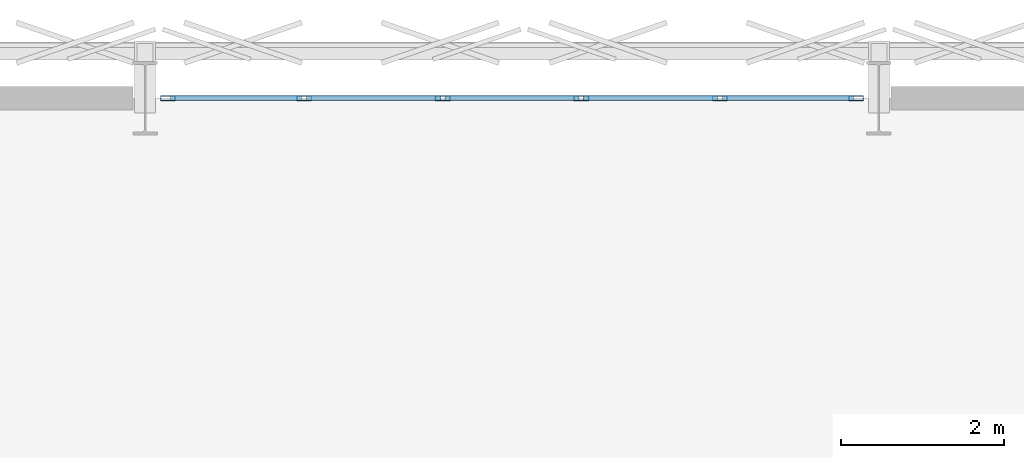
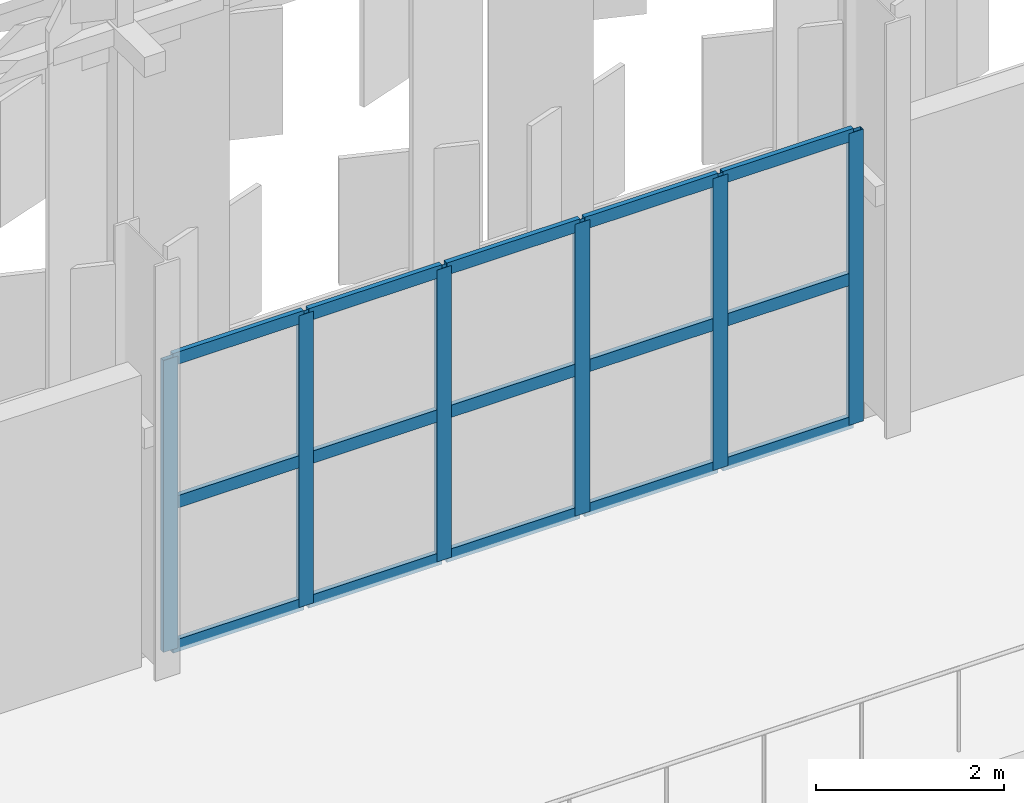
# One storey, part 80 of 210: 21 members, 1 element without a shape of its own.
"""IFC4 building model written with IfcOpenShell, lengths in metres."""

from ifc_helpers import new_model, si_unit, direction, frame, origin, origin_2d, place, context, subcontext, project, spatial, hollow_rectangle, extrude, material, material_profile, profile_set, type_object, element, aggregate, save


model = new_model("IFC4")

# Units and contexts
model_context = context("Model", 3, precision=1e-05, world=origin(), true_north=direction((0.0, 1.0)))
body_context = subcontext(model_context, "Body", "Model", "MODEL_VIEW")
ifc_project = project(units=[si_unit("LENGTHUNIT", "METRE"), si_unit("AREAUNIT", "SQUARE_METRE"), si_unit("VOLUMEUNIT", "CUBIC_METRE"), si_unit("PLANEANGLEUNIT", "RADIAN"), si_unit("MASSUNIT", "GRAM", prefix="KILO")], contexts=[model_context])

# Site, building, storey
site_placement = place(None, origin())
site = spatial("IfcSite", under=ifc_project, at=site_placement, CompositionType="ELEMENT")
building_placement = place(site_placement, origin())
building = spatial("IfcBuilding", under=site, at=building_placement, Name="Kaldris Quays Convention Centre", CompositionType="ELEMENT")
storey_placement = place(building_placement, frame((0.0, 0.0, 6.0)))
storey = spatial("IfcBuildingStorey", under=building, at=storey_placement, Name="L01", CompositionType="ELEMENT", Elevation=6.0)

# Curtain wall, members
ifc_material_1 = material(Name="Anodized aluminium AW-6060 and triple glazing", Category="aluminium")
curtain_wall_type = type_object("IfcCurtainWallType", Name="UNITISED CURTAIN WALL CW05", PredefinedType="NOTDEFINED", material=ifc_material_1)
curtain_wall_placement = place(storey_placement, origin())
curtain_wall = element("IfcCurtainWall", 1, at=curtain_wall_placement, inside=storey, type_object=curtain_wall_type, Name="L01 Unitised Curtain Wall CW05 4", PredefinedType="NOTDEFINED")
ifc_material_2 = material(Name="Anodized aluminium AW-6060", Category="aluminium")
ifc_material_profile_1 = material_profile(ifc_material_2, hollow_rectangle(XDim=0.06005859375, YDim=0.179931640625, WallThickness=0.0048828125, at=origin_2d()), Name="RHS 180x60x5")
ifc_profile_set_1 = profile_set([ifc_material_profile_1], Name="Anodized aluminium AW-6060")
member_type_1 = type_object("IfcMemberType", Name="CURTAIN MULLION CWM2", PredefinedType="MULLION", material=ifc_profile_set_1)
member_1_placement = place(storey_placement, frame((47.280029296875, 140.0, 0.0), z_axis=(0.0, 0.0, 1.0), x_axis=(0.0, 1.0, 0.0)))
member_1 = element("IfcMember", 2, at=member_1_placement, type_object=member_type_1, Name="CW05 mullion 1", PredefinedType="MULLION", context=body_context, shape_type="SweptSolid", body=[
    extrude(hollow_rectangle(XDim=0.06005859375, YDim=0.179931640625, WallThickness=0.0048828125, at=origin_2d()), origin(), (0.0, 0.0, 1.0), 3.800048828125),
])
member_2_placement = place(storey_placement, frame((48.949951171875, 140.0, 0.0), z_axis=(0.0, 0.0, 1.0), x_axis=(0.0, 1.0, 0.0)))
member_2 = element("IfcMember", 3, at=member_2_placement, type_object=member_type_1, Name="CW05 mullion 2", PredefinedType="MULLION", context=body_context, shape_type="SweptSolid", body=[
    extrude(hollow_rectangle(XDim=0.06005859375, YDim=0.179931640625, WallThickness=0.0048828125, at=origin_2d()), origin(), (0.0, 0.0, 1.0), 3.800048828125),
])
member_3_placement = place(storey_placement, frame((50.64990234375, 140.0, 0.0), z_axis=(0.0, 0.0, 1.0), x_axis=(0.0, 1.0, 0.0)))
member_3 = element("IfcMember", 4, at=member_3_placement, type_object=member_type_1, Name="CW05 mullion 3", PredefinedType="MULLION", context=body_context, shape_type="SweptSolid", body=[
    extrude(hollow_rectangle(XDim=0.06005859375, YDim=0.179931640625, WallThickness=0.0048828125, at=origin_2d()), origin(), (0.0, 0.0, 1.0), 3.800048828125),
])
member_4_placement = place(storey_placement, frame((52.35009765625, 140.0, 0.0), z_axis=(0.0, 0.0, 1.0), x_axis=(0.0, 1.0, 0.0)))
member_4 = element("IfcMember", 5, at=member_4_placement, type_object=member_type_1, Name="CW05 mullion 4", PredefinedType="MULLION", context=body_context, shape_type="SweptSolid", body=[
    extrude(hollow_rectangle(XDim=0.06005859375, YDim=0.179931640625, WallThickness=0.0048828125, at=origin_2d()), origin(), (0.0, 0.0, 1.0), 3.800048828125),
])
member_5_placement = place(storey_placement, frame((54.050048828125, 140.0, 0.0), z_axis=(0.0, 0.0, 1.0), x_axis=(0.0, 1.0, 0.0)))
member_5 = element("IfcMember", 6, at=member_5_placement, type_object=member_type_1, Name="CW05 mullion 5", PredefinedType="MULLION", context=body_context, shape_type="SweptSolid", body=[
    extrude(hollow_rectangle(XDim=0.06005859375, YDim=0.179931640625, WallThickness=0.0048828125, at=origin_2d()), origin(), (0.0, 0.0, 1.0), 3.800048828125),
])
member_6_placement = place(storey_placement, frame((55.719970703125, 140.0, 0.0), z_axis=(0.0, 0.0, 1.0), x_axis=(0.0, 1.0, 0.0)))
member_6 = element("IfcMember", 7, at=member_6_placement, type_object=member_type_1, Name="CW05 mullion 6", PredefinedType="MULLION", context=body_context, shape_type="SweptSolid", body=[
    extrude(hollow_rectangle(XDim=0.06005859375, YDim=0.179931640625, WallThickness=0.0048828125, at=origin_2d()), origin(), (0.0, 0.0, 1.0), 3.800048828125),
])
ifc_material_profile_2 = material_profile(ifc_material_2, hollow_rectangle(XDim=0.06005859375, YDim=0.159912109375, WallThickness=0.00390625, at=origin_2d()), Name="RHS 160x60x4")
ifc_profile_set_2 = profile_set([ifc_material_profile_2], Name="Anodized aluminium AW-6060")
member_type_2 = type_object("IfcMemberType", Name="CURTAIN TRANSOM CWT2", PredefinedType="USERDEFINED", material=ifc_profile_set_2)
member_7_placement = place(storey_placement, frame((47.31005859375, 140.0, 0.030029296875), z_axis=(1.0, 0.0, 0.0), x_axis=(0.0, 1.0, 0.0)))
member_7 = element("IfcMember", 8, at=member_7_placement, type_object=member_type_2, Name="CW05 transom 1.1", ObjectType="TRANSOM", PredefinedType="USERDEFINED", context=body_context, shape_type="SweptSolid", body=[
    extrude(hollow_rectangle(XDim=0.06005859375, YDim=0.159912109375, WallThickness=0.00390625, at=origin_2d()), origin(), (0.0, 0.0, 1.0), 1.60986328125),
])
member_8_placement = place(storey_placement, frame((47.31005859375, 140.0, 1.89990234375), z_axis=(1.0, 0.0, 0.0), x_axis=(0.0, 1.0, 0.0)))
member_8 = element("IfcMember", 9, at=member_8_placement, type_object=member_type_2, Name="CW05 transom 1.2", ObjectType="TRANSOM", PredefinedType="USERDEFINED", context=body_context, shape_type="SweptSolid", body=[
    extrude(hollow_rectangle(XDim=0.06005859375, YDim=0.159912109375, WallThickness=0.00390625, at=origin_2d()), origin(), (0.0, 0.0, 1.0), 1.60986328125),
])
member_9_placement = place(storey_placement, frame((47.31005859375, 140.0, 3.77001953125), z_axis=(1.0, 0.0, 0.0), x_axis=(0.0, 1.0, 0.0)))
member_9 = element("IfcMember", 10, at=member_9_placement, type_object=member_type_2, Name="CW05 transom 1.3", ObjectType="TRANSOM", PredefinedType="USERDEFINED", context=body_context, shape_type="SweptSolid", body=[
    extrude(hollow_rectangle(XDim=0.06005859375, YDim=0.159912109375, WallThickness=0.00390625, at=origin_2d()), origin(), (0.0, 0.0, 1.0), 1.60986328125),
])
member_10_placement = place(storey_placement, frame((48.97998046875, 140.0, 0.030029296875), z_axis=(1.0, 0.0, 0.0), x_axis=(0.0, 1.0, 0.0)))
member_10 = element("IfcMember", 11, at=member_10_placement, type_object=member_type_2, Name="CW05 transom 2.1", ObjectType="TRANSOM", PredefinedType="USERDEFINED", context=body_context, shape_type="SweptSolid", body=[
    extrude(hollow_rectangle(XDim=0.06005859375, YDim=0.159912109375, WallThickness=0.00390625, at=origin_2d()), origin(), (0.0, 0.0, 1.0), 1.64013671875),
])
member_11_placement = place(storey_placement, frame((48.97998046875, 140.0, 1.89990234375), z_axis=(1.0, 0.0, 0.0), x_axis=(0.0, 1.0, 0.0)))
member_11 = element("IfcMember", 12, at=member_11_placement, type_object=member_type_2, Name="CW05 transom 2.2", ObjectType="TRANSOM", PredefinedType="USERDEFINED", context=body_context, shape_type="SweptSolid", body=[
    extrude(hollow_rectangle(XDim=0.06005859375, YDim=0.159912109375, WallThickness=0.00390625, at=origin_2d()), origin(), (0.0, 0.0, 1.0), 1.64013671875),
])
member_12_placement = place(storey_placement, frame((48.97998046875, 140.0, 3.77001953125), z_axis=(1.0, 0.0, 0.0), x_axis=(0.0, 1.0, 0.0)))
member_12 = element("IfcMember", 13, at=member_12_placement, type_object=member_type_2, Name="CW05 transom 2.3", ObjectType="TRANSOM", PredefinedType="USERDEFINED", context=body_context, shape_type="SweptSolid", body=[
    extrude(hollow_rectangle(XDim=0.06005859375, YDim=0.159912109375, WallThickness=0.00390625, at=origin_2d()), origin(), (0.0, 0.0, 1.0), 1.64013671875),
])
member_13_placement = place(storey_placement, frame((50.679931640625, 140.0, 0.030029296875), z_axis=(1.0, 0.0, 0.0), x_axis=(0.0, 1.0, 0.0)))
member_13 = element("IfcMember", 14, at=member_13_placement, type_object=member_type_2, Name="CW05 transom 3.1", ObjectType="TRANSOM", PredefinedType="USERDEFINED", context=body_context, shape_type="SweptSolid", body=[
    extrude(hollow_rectangle(XDim=0.06005859375, YDim=0.159912109375, WallThickness=0.00390625, at=origin_2d()), origin(), (0.0, 0.0, 1.0), 1.64013671875),
])
member_14_placement = place(storey_placement, frame((50.679931640625, 140.0, 1.89990234375), z_axis=(1.0, 0.0, 0.0), x_axis=(0.0, 1.0, 0.0)))
member_14 = element("IfcMember", 15, at=member_14_placement, type_object=member_type_2, Name="CW05 transom 3.2", ObjectType="TRANSOM", PredefinedType="USERDEFINED", context=body_context, shape_type="SweptSolid", body=[
    extrude(hollow_rectangle(XDim=0.06005859375, YDim=0.159912109375, WallThickness=0.00390625, at=origin_2d()), origin(), (0.0, 0.0, 1.0), 1.64013671875),
])
member_15_placement = place(storey_placement, frame((50.679931640625, 140.0, 3.77001953125), z_axis=(1.0, 0.0, 0.0), x_axis=(0.0, 1.0, 0.0)))
member_15 = element("IfcMember", 16, at=member_15_placement, type_object=member_type_2, Name="CW05 transom 3.3", ObjectType="TRANSOM", PredefinedType="USERDEFINED", context=body_context, shape_type="SweptSolid", body=[
    extrude(hollow_rectangle(XDim=0.06005859375, YDim=0.159912109375, WallThickness=0.00390625, at=origin_2d()), origin(), (0.0, 0.0, 1.0), 1.64013671875),
])
member_16_placement = place(storey_placement, frame((52.3798828125, 140.0, 0.030029296875), z_axis=(1.0, 0.0, 0.0), x_axis=(0.0, 1.0, 0.0)))
member_16 = element("IfcMember", 17, at=member_16_placement, type_object=member_type_2, Name="CW05 transom 4.1", ObjectType="TRANSOM", PredefinedType="USERDEFINED", context=body_context, shape_type="SweptSolid", body=[
    extrude(hollow_rectangle(XDim=0.06005859375, YDim=0.159912109375, WallThickness=0.00390625, at=origin_2d()), origin(), (0.0, 0.0, 1.0), 1.64013671875),
])
member_17_placement = place(storey_placement, frame((52.3798828125, 140.0, 1.89990234375), z_axis=(1.0, 0.0, 0.0), x_axis=(0.0, 1.0, 0.0)))
member_17 = element("IfcMember", 18, at=member_17_placement, type_object=member_type_2, Name="CW05 transom 4.2", ObjectType="TRANSOM", PredefinedType="USERDEFINED", context=body_context, shape_type="SweptSolid", body=[
    extrude(hollow_rectangle(XDim=0.06005859375, YDim=0.159912109375, WallThickness=0.00390625, at=origin_2d()), origin(), (0.0, 0.0, 1.0), 1.64013671875),
])
member_18_placement = place(storey_placement, frame((52.3798828125, 140.0, 3.77001953125), z_axis=(1.0, 0.0, 0.0), x_axis=(0.0, 1.0, 0.0)))
member_18 = element("IfcMember", 19, at=member_18_placement, type_object=member_type_2, Name="CW05 transom 4.3", ObjectType="TRANSOM", PredefinedType="USERDEFINED", context=body_context, shape_type="SweptSolid", body=[
    extrude(hollow_rectangle(XDim=0.06005859375, YDim=0.159912109375, WallThickness=0.00390625, at=origin_2d()), origin(), (0.0, 0.0, 1.0), 1.64013671875),
])
member_19_placement = place(storey_placement, frame((54.080078125, 140.0, 0.030029296875), z_axis=(1.0, 0.0, 0.0), x_axis=(0.0, 1.0, 0.0)))
member_19 = element("IfcMember", 20, at=member_19_placement, type_object=member_type_2, Name="CW05 transom 5.1", ObjectType="TRANSOM", PredefinedType="USERDEFINED", context=body_context, shape_type="SweptSolid", body=[
    extrude(hollow_rectangle(XDim=0.06005859375, YDim=0.159912109375, WallThickness=0.00390625, at=origin_2d()), origin(), (0.0, 0.0, 1.0), 1.60986328125),
])
member_20_placement = place(storey_placement, frame((54.080078125, 140.0, 1.89990234375), z_axis=(1.0, 0.0, 0.0), x_axis=(0.0, 1.0, 0.0)))
member_20 = element("IfcMember", 21, at=member_20_placement, type_object=member_type_2, Name="CW05 transom 5.2", ObjectType="TRANSOM", PredefinedType="USERDEFINED", context=body_context, shape_type="SweptSolid", body=[
    extrude(hollow_rectangle(XDim=0.06005859375, YDim=0.159912109375, WallThickness=0.00390625, at=origin_2d()), origin(), (0.0, 0.0, 1.0), 1.60986328125),
])
member_21_placement = place(storey_placement, frame((54.080078125, 140.0, 3.77001953125), z_axis=(1.0, 0.0, 0.0), x_axis=(0.0, 1.0, 0.0)))
member_21 = element("IfcMember", 22, at=member_21_placement, type_object=member_type_2, Name="CW05 transom 5.3", ObjectType="TRANSOM", PredefinedType="USERDEFINED", context=body_context, shape_type="SweptSolid", body=[
    extrude(hollow_rectangle(XDim=0.06005859375, YDim=0.159912109375, WallThickness=0.00390625, at=origin_2d()), origin(), (0.0, 0.0, 1.0), 1.60986328125),
])
aggregate(curtain_wall, [member_1, member_2, member_3, member_4, member_5, member_6, member_7, member_8, member_9, member_10, member_11, member_12, member_13, member_14, member_15, member_16, member_17, member_18, member_19, member_20, member_21])

save(model, "model.ifc")
